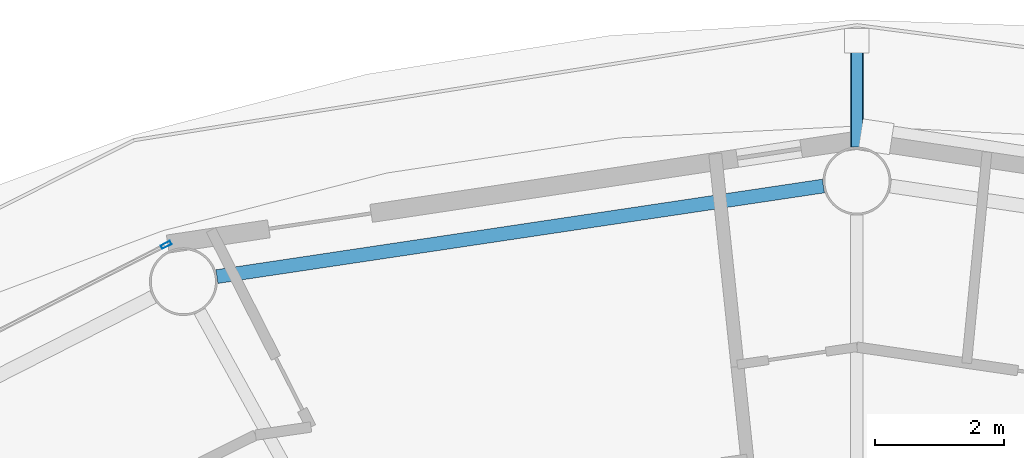
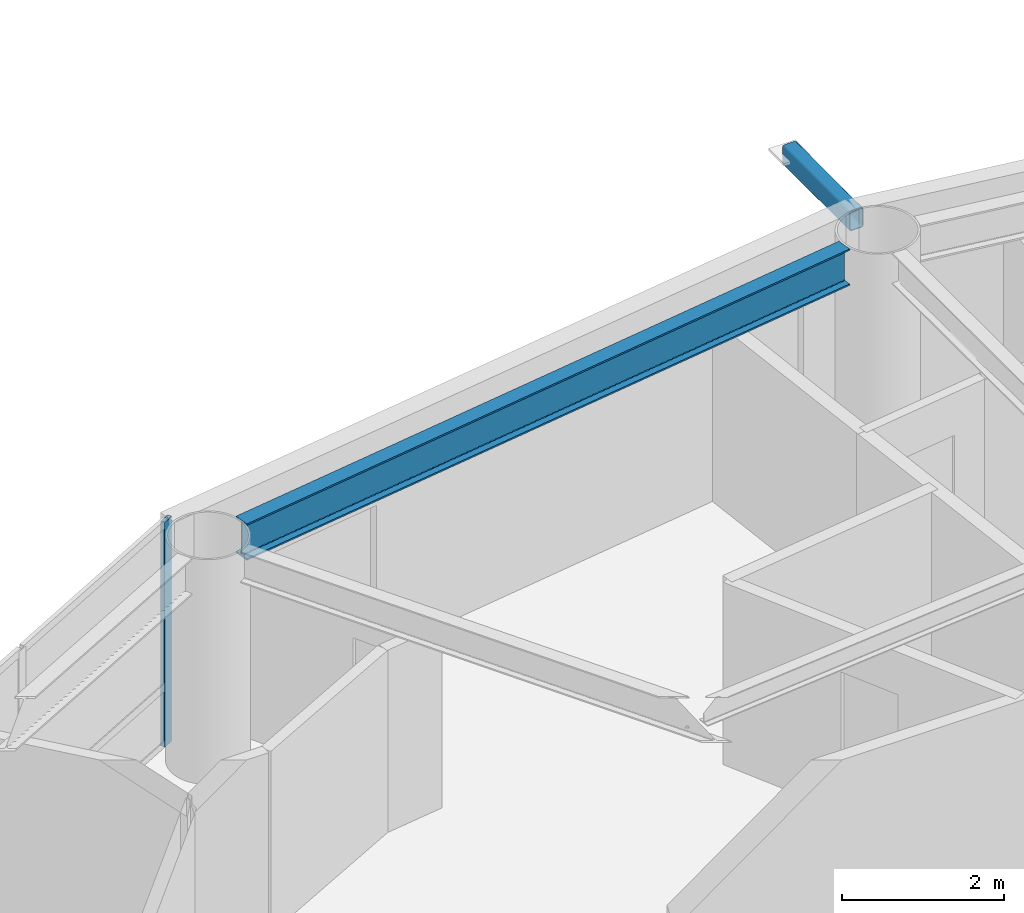
# One storey, part 13 of 28: 2 members, 1 beam, 1 element without a shape of its own.
"""IFC4 building model written with IfcOpenShell, lengths in metres."""

from ifc_helpers import new_model, si_unit, direction, frame, origin, origin_2d, place, context, subcontext, project, spatial, hollow_rectangle, i_section, extrude, material, layer, layer_set, material_profile, profile_set, type_object, element, aggregate, save


model = new_model("IFC4")

# Units and contexts
model_context = context("Model", 3, precision=1e-05, world=origin(), true_north=direction((0.0, 1.0)))
body_context = subcontext(model_context, "Body", "Model", "MODEL_VIEW")
ifc_project = project(units=[si_unit("LENGTHUNIT", "METRE"), si_unit("AREAUNIT", "SQUARE_METRE"), si_unit("VOLUMEUNIT", "CUBIC_METRE"), si_unit("PLANEANGLEUNIT", "RADIAN"), si_unit("MASSUNIT", "GRAM", prefix="KILO")], contexts=[model_context])

# Site, building, storey
site_placement = place(None, origin())
site = spatial("IfcSite", under=ifc_project, at=site_placement, CompositionType="ELEMENT")
building_placement = place(site_placement, origin())
building = spatial("IfcBuilding", under=site, at=building_placement, Name="Sarneth Arch Tower", CompositionType="ELEMENT")
storey_placement = place(building_placement, frame((0.0, 0.0, 172.199951171875)))
storey = spatial("IfcBuildingStorey", under=building, at=storey_placement, Name="L43", CompositionType="ELEMENT", Elevation=172.199951171875)

# Beam
ifc_material_1 = material(Name="Steel S355", Category="steel")
ifc_material_profile_1 = material_profile(ifc_material_1, i_section(OverallWidth=0.214111328125, OverallDepth=0.549072265625, WebThickness=0.0146484375, FlangeThickness=0.023681640625, FilletRadius=0.01806640625, at=origin_2d()), Name="W530x138")
ifc_profile_set_1 = profile_set([ifc_material_profile_1], Name="Steel S355")
beam_type = type_object("IfcBeamType", Name="BM-RAD-530A", PredefinedType="BEAM", material=ifc_profile_set_1)
beam_placement = place(storey_placement, frame((47.480712890625, 62.37255859375, 3.10546875), z_axis=(-0.989027145133, -0.14773390332, 0.0), x_axis=(0.14773390332, -0.989027145133, 0.0)))
element("IfcBeam", 1, at=beam_placement, inside=storey, type_object=beam_type, Name="L43 Perimeter spandrel beam 05", PredefinedType="BEAM", context=body_context, shape_type="SweptSolid", body=[
    extrude(i_section(OverallWidth=0.214111328125, OverallDepth=0.549072265625, WebThickness=0.0146484375, FlangeThickness=0.023681640625, FilletRadius=0.01806640625, at=origin_2d()), origin(), (0.0, 0.0, 1.0), 9.4873046875),
])

# Curtain wall, member
ifc_material_2 = material(Name="Anodised aluminium Type AA25 and solar-control low-e laminated IGU", Category="aluminium")
ifc_layer = layer(ifc_material_2, 0.169921875)
ifc_layer_set = layer_set([ifc_layer], Name="Anodised aluminium Type AA25 and solar-control low-e laminated IGU")
curtain_wall_type = type_object("IfcCurtainWallType", Name="CW-RES-MID", PredefinedType="NOTDEFINED", material=ifc_layer_set)
curtain_wall_placement = place(storey_placement, origin())
curtain_wall = element("IfcCurtainWall", 2, at=curtain_wall_placement, inside=storey, type_object=curtain_wall_type, Name="L43 Unitised curtain wall facet 06", PredefinedType="NOTDEFINED")
ifc_material_3 = material(Name="Anodised Aluminium 6063-T6", Category="aluminium")
ifc_material_profile_2 = material_profile(ifc_material_3, hollow_rectangle(XDim=0.06005859375, YDim=0.159912109375, WallThickness=0.00390625, at=origin_2d()), Name="AL-MULL-160x60x4")
ifc_profile_set_2 = profile_set([ifc_material_profile_2], Name="Anodised Aluminium 6063-T6")
member_type_1 = type_object("IfcMemberType", Name="CW-MULLION", PredefinedType="MULLION", material=ifc_profile_set_2)
member_1_placement = place(storey_placement, frame((37.310546875, 61.461669921875, 0.0), z_axis=(0.0, 0.0, 1.0), x_axis=(0.456208470329, -0.88987293003, 0.0)))
member_1 = element("IfcMember", 3, at=member_1_placement, type_object=member_type_1, Name="CW-SYS-5 mullion 1", PredefinedType="MULLION", context=body_context, shape_type="SweptSolid", body=[
    extrude(hollow_rectangle(XDim=0.06005859375, YDim=0.159912109375, WallThickness=0.00390625, at=origin_2d()), origin(), (0.0, 0.0, 1.0), 3.380126953125),
])
aggregate(curtain_wall, [member_1])

# Member
ifc_material_4 = material(Name="Steel S355", Category="steel")
ifc_material_profile_3 = material_profile(ifc_material_4, hollow_rectangle(XDim=0.199951171875, YDim=0.300048828125, WallThickness=0.012451171875, InnerFilletRadius=0.018798828125, OuterFilletRadius=0.03125, at=origin_2d()), Name="RHS300x200x12.5")
ifc_profile_set_3 = profile_set([ifc_material_profile_3], Name="Steel S355")
member_type_2 = type_object("IfcMemberType", Name="MEM-CANT-STRUT", PredefinedType="STRUT", material=ifc_profile_set_3)
member_2_placement = place(storey_placement, frame((48.0, 62.97509765625, 3.219970703125), z_axis=(0.0, 1.0, 0.0), x_axis=(-1.0, 0.0, 0.0)))
element("IfcMember", 4, at=member_2_placement, inside=storey, type_object=member_type_2, Name="L43 Balcony cantilever bracket 05", PredefinedType="STRUT", context=body_context, shape_type="SweptSolid", body=[
    extrude(hollow_rectangle(XDim=0.199951171875, YDim=0.300048828125, WallThickness=0.012451171875, InnerFilletRadius=0.018798828125, OuterFilletRadius=0.03125, at=origin_2d()), origin(), (0.0, 0.0, 1.0), 1.6455078125),
])

save(model, "model.ifc")
